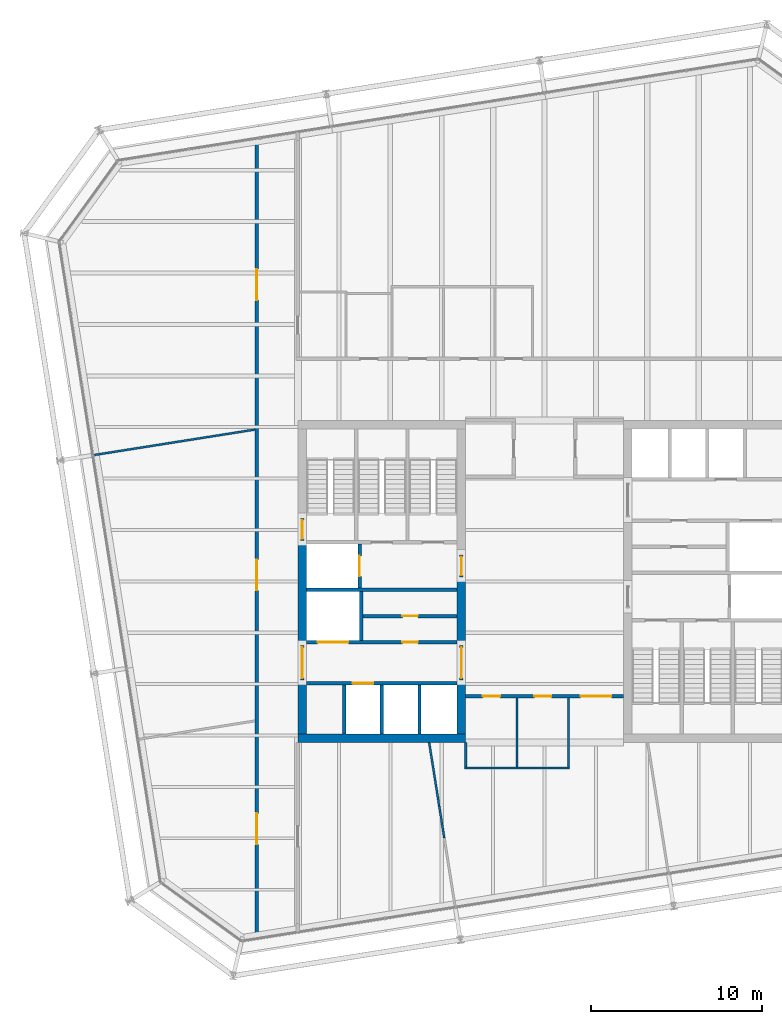
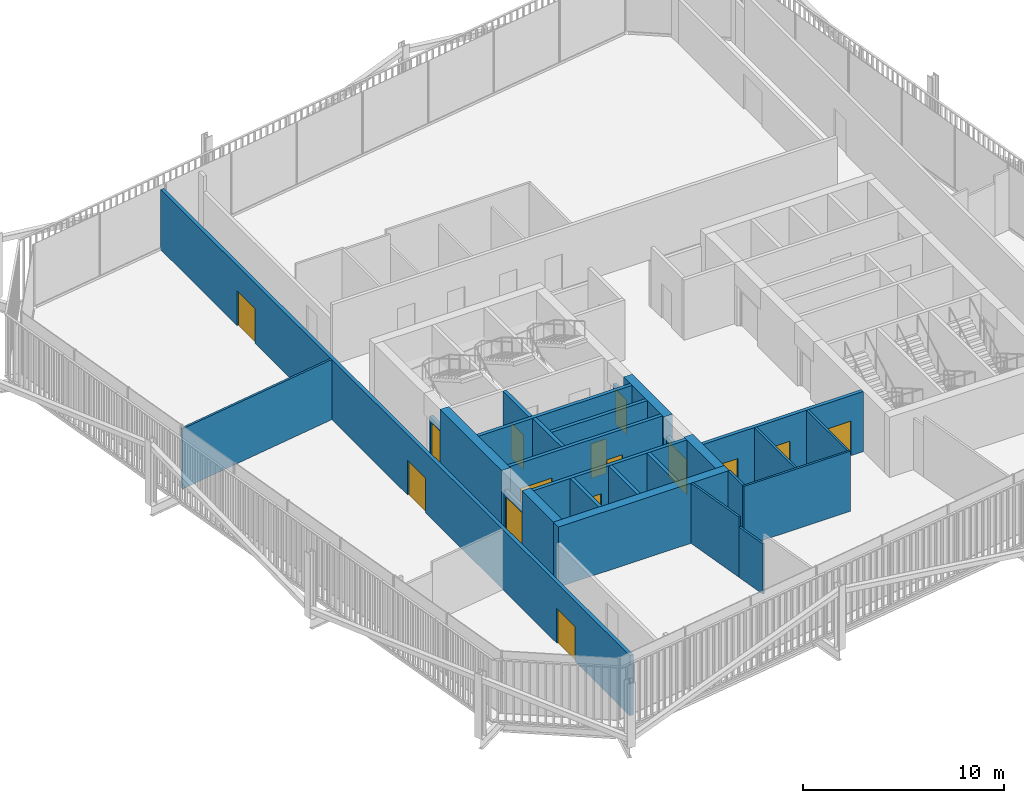
# One storey, part 17 of 21: 27 walls, 15 doors, 15 openings.
"""IFC4 building model written with IfcOpenShell, lengths in metres."""

from ifc_helpers import new_model, si_unit, direction, frame, frame_2d, origin, place, context, subcontext, project, spatial, rectangle, extrude, material, layer, layer_set, type_object, element, fill, save


model = new_model("IFC4")

# Units and contexts
model_context = context("Model", 3, precision=1e-05, world=origin(), true_north=direction((0.0, 1.0)))
body_context = subcontext(model_context, "Body", "Model", "MODEL_VIEW")
ifc_project = project(units=[si_unit("LENGTHUNIT", "METRE"), si_unit("AREAUNIT", "SQUARE_METRE"), si_unit("VOLUMEUNIT", "CUBIC_METRE"), si_unit("PLANEANGLEUNIT", "RADIAN"), si_unit("MASSUNIT", "GRAM", prefix="KILO")], contexts=[model_context])

# Site, building, storey
site_placement = place(None, origin())
site = spatial("IfcSite", under=ifc_project, at=site_placement, CompositionType="ELEMENT")
building_placement = place(site_placement, origin())
building = spatial("IfcBuilding", under=site, at=building_placement, Name="Millrace Tower", CompositionType="ELEMENT")
storey_placement = place(building_placement, frame((0.0, 0.0, 263.0)))
storey = spatial("IfcBuildingStorey", under=building, at=storey_placement, Name="L60", CompositionType="ELEMENT", Elevation=263.0)

# Walls
ifc_material_1 = material(Name="Concrete C60", Category="concrete")
ifc_layer_1 = layer(ifc_material_1, 0.5)
ifc_layer_set_1 = layer_set([ifc_layer_1], Name="Concrete C60")
wall_type_1 = type_object("IfcWallType", Name="Core wall 500 Concrete C60", PredefinedType="SHEAR", material=ifc_layer_set_1)
wall_1_placement = place(storey_placement, frame((-14.39990234375, -9.14990234375, 0.0), z_axis=(0.0, 0.0, 1.0), x_axis=(1.0, 0.0, 0.0)))
element("IfcWall", 1, at=wall_1_placement, inside=storey, type_object=wall_type_1, Name="Core wall W L60", PredefinedType="SHEAR", context=body_context, shape_type="SweptSolid", body=[
    extrude(rectangle(XDim=9.7998046875, YDim=0.5, at=frame_2d((4.89990234375, 0.0))), origin(), (0.0, 0.0, 1.0), 3.64990234375),
])
wall_2_placement = place(storey_placement, frame((-14.14990234375, -8.89990234375, 0.0), z_axis=(0.0, 0.0, 1.0), x_axis=(0.0, 1.0, 0.0)))
element("IfcWall", 2, at=wall_2_placement, inside=storey, type_object=wall_type_1, Name="Core wall W L60", PredefinedType="SHEAR", context=body_context, shape_type="SweptSolid", body=[
    extrude(rectangle(XDim=3.14990234375, YDim=0.5, at=frame_2d((1.574951171875, 0.0))), origin(), (0.0, 0.0, 1.0), 3.64990234375),
])
wall_3_placement = place(storey_placement, frame((-14.14990234375, -3.75, 0.0), z_axis=(0.0, 0.0, 1.0), x_axis=(0.0, 1.0, 0.0)))
element("IfcWall", 3, at=wall_3_placement, inside=storey, type_object=wall_type_1, Name="Core wall W L60", PredefinedType="SHEAR", context=body_context, shape_type="SweptSolid", body=[
    extrude(rectangle(XDim=6.1298828125, YDim=0.5, at=frame_2d((3.06494140625, 0.0))), origin(), (0.0, 0.0, 1.0), 3.64990234375),
])
wall_4_placement = place(storey_placement, frame((-4.85009765625, -8.89990234375, 0.0), z_axis=(0.0, 0.0, 1.0), x_axis=(0.0, 1.0, 0.0)))
element("IfcWall", 4, at=wall_4_placement, inside=storey, type_object=wall_type_1, Name="Core wall W L60", PredefinedType="SHEAR", context=body_context, shape_type="SweptSolid", body=[
    extrude(rectangle(XDim=3.14990234375, YDim=0.5, at=frame_2d((1.574951171875, 0.0))), origin(), (0.0, 0.0, 1.0), 3.64990234375),
])
wall_5_placement = place(storey_placement, frame((-4.85009765625, -3.75, 0.0), z_axis=(0.0, 0.0, 1.0), x_axis=(0.0, 1.0, 0.0)))
element("IfcWall", 5, at=wall_5_placement, inside=storey, type_object=wall_type_1, Name="Core wall W L60", PredefinedType="SHEAR", context=body_context, shape_type="SweptSolid", body=[
    extrude(rectangle(XDim=4.0, YDim=0.5, at=frame_2d((2.0, 0.0))), origin(), (0.0, 0.0, 1.0), 3.64990234375),
])

# Wall, openings, doors
ifc_material_2 = material(Name="Masonry partition, fire-rated", Category="masonry")
ifc_layer_2 = layer(ifc_material_2, 0.199951171875)
ifc_layer_set_2 = layer_set([ifc_layer_2], Name="Masonry partition, fire-rated")
wall_type_2 = type_object("IfcWallType", Name="Corridor wall 200", PredefinedType="PARTITIONING", material=ifc_layer_set_2)
wall_6_placement = place(storey_placement, frame((-4.60009765625, -6.699951171875, 0.0), z_axis=(0.0, 0.0, 1.0), x_axis=(1.0, 0.0, 0.0)))
wall_6 = element("IfcWall", 6, at=wall_6_placement, inside=storey, type_object=wall_type_2, Name="Corridor wall L60", PredefinedType="PARTITIONING", context=body_context, shape_type="SweptSolid", body=[
    extrude(rectangle(XDim=9.2001953125, YDim=0.199951171875, at=frame_2d((4.60009765625, 0.0))), origin(), (0.0, 0.0, 1.0), 3.64990234375),
])
opening_1_placement = place(wall_6_placement, frame((6.699951171875, 0.0, 0.0)))
opening_1 = element("IfcOpeningElement", 7, at=opening_1_placement, cuts=wall_6, Name="Opening 60-P012", PredefinedType="OPENING", context=body_context, shape_type="SweptSolid", body=[
    extrude(rectangle(XDim=1.800048828125, YDim=2.10009765625, at=frame_2d((0.89990234375, 1.050048828125))), frame((0.0, 0.10986328125, 0.0), z_axis=(0.0, -1.0, 0.0), x_axis=(1.0, 0.0, 0.0)), (0.0, 0.0, 1.0), 0.219970703125),
])
opening_2_placement = place(wall_6_placement, frame((1.0, 0.0, 0.0)))
opening_2 = element("IfcOpeningElement", 8, at=opening_2_placement, cuts=wall_6, Name="Opening 60-P013", PredefinedType="OPENING", context=body_context, shape_type="SweptSolid", body=[
    extrude(rectangle(XDim=1.0, YDim=2.10009765625, at=frame_2d((0.5, 1.050048828125))), frame((0.0, 0.10986328125, 0.0), z_axis=(0.0, -1.0, 0.0), x_axis=(1.0, 0.0, 0.0)), (0.0, 0.0, 1.0), 0.219970703125),
])
opening_3_placement = place(wall_6_placement, frame((4.0, 0.0, 0.0)))
opening_3 = element("IfcOpeningElement", 9, at=opening_3_placement, cuts=wall_6, Name="Opening 60-P014", PredefinedType="OPENING", context=body_context, shape_type="SweptSolid", body=[
    extrude(rectangle(XDim=1.0, YDim=2.10009765625, at=frame_2d((0.5, 1.050048828125))), frame((0.0, 0.10986328125, 0.0), z_axis=(0.0, -1.0, 0.0), x_axis=(1.0, 0.0, 0.0)), (0.0, 0.0, 1.0), 0.219970703125),
])
ifc_material_3 = material(Name="Steel door set, fire-rated", Category="steel")
door_type_1 = type_object("IfcDoorType", Name="Corridor door 1000 x 2100", OperationType="SINGLE_SWING_LEFT", PredefinedType="DOOR", material=ifc_material_3)
door_1_placement = place(opening_2_placement, frame((1.0, 0.0, 0.0), z_axis=(0.0, 0.0, 1.0), x_axis=(-1.0, 0.0, 0.0)))
door_1 = element("IfcDoor", 10, at=door_1_placement, inside=storey, type_object=door_type_1, Name="Door 60-P013", OperationType="SINGLE_SWING_RIGHT", OverallHeight=2.10009765625, OverallWidth=1.0, PredefinedType="DOOR", context=body_context, shape_type="SweptSolid", body=[
    extrude(rectangle(XDim=1.0, YDim=2.10009765625, at=frame_2d((0.5, 1.050048828125))), frame((0.0, 0.02490234375, 0.0), z_axis=(0.0, -1.0, 0.0), x_axis=(1.0, 0.0, 0.0)), (0.0, 0.0, 1.0), 0.050048828125),
])
fill(opening_2, door_1)
door_2_placement = place(opening_3_placement, frame((1.0, 0.0, 0.0), z_axis=(0.0, 0.0, 1.0), x_axis=(-1.0, 0.0, 0.0)))
door_2 = element("IfcDoor", 11, at=door_2_placement, inside=storey, type_object=door_type_1, Name="Door 60-P014", OperationType="SINGLE_SWING_RIGHT", OverallHeight=2.10009765625, OverallWidth=1.0, PredefinedType="DOOR", context=body_context, shape_type="SweptSolid", body=[
    extrude(rectangle(XDim=1.0, YDim=2.10009765625, at=frame_2d((0.5, 1.050048828125))), frame((0.0, 0.02490234375, 0.0), z_axis=(0.0, -1.0, 0.0), x_axis=(1.0, 0.0, 0.0)), (0.0, 0.0, 1.0), 0.050048828125),
])
fill(opening_3, door_2)
ifc_material_4 = material(Name="Steel door set, fire-rated", Category="steel")
door_type_2 = type_object("IfcDoorType", Name="Corridor door 1800 x 2100", OperationType="DOUBLE_DOOR_SINGLE_SWING", PredefinedType="DOOR", material=ifc_material_4)
door_3_placement = place(opening_1_placement, frame((1.800048828125, 0.0, 0.0), z_axis=(0.0, 0.0, 1.0), x_axis=(-1.0, 0.0, 0.0)))
door_3 = element("IfcDoor", 12, at=door_3_placement, inside=storey, type_object=door_type_2, Name="Door 60-P012", OperationType="DOUBLE_DOOR_SINGLE_SWING", OverallHeight=2.10009765625, OverallWidth=1.800048828125, PredefinedType="DOOR", context=body_context, shape_type="SweptSolid", body=[
    extrude(rectangle(XDim=1.800048828125, YDim=2.10009765625, at=frame_2d((0.89990234375, 1.050048828125))), frame((0.0, 0.02490234375, 0.0), z_axis=(0.0, -1.0, 0.0), x_axis=(1.0, 0.0, 0.0)), (0.0, 0.0, 1.0), 0.050048828125),
])
fill(opening_1, door_3)

wall_7_placement = place(storey_placement, frame((-16.800048828125, -20.816162109375, 0.0), z_axis=(0.0, 0.0, 1.0), x_axis=(0.0, 1.0, 0.0)))
wall_7 = element("IfcWall", 13, at=wall_7_placement, inside=storey, type_object=wall_type_2, Name="Corridor wall L60", PredefinedType="PARTITIONING", context=body_context, shape_type="SweptSolid", body=[
    extrude(rectangle(XDim=46.63427734375, YDim=0.199951171875, at=frame_2d((23.317138671875, 0.0))), origin(), (0.0, 0.0, 1.0), 3.64990234375),
])
opening_4_placement = place(wall_7_placement, frame((5.468017578125, 0.0, 0.0)))
opening_4 = element("IfcOpeningElement", 14, at=opening_4_placement, cuts=wall_7, Name="Opening 60-P003", PredefinedType="OPENING", context=body_context, shape_type="SweptSolid", body=[
    extrude(rectangle(XDim=1.800048828125, YDim=2.10009765625, at=frame_2d((0.89990234375, 1.050048828125))), frame((0.0, 0.10986328125, 0.0), z_axis=(0.0, -1.0, 0.0), x_axis=(1.0, 0.0, 0.0)), (0.0, 0.0, 1.0), 0.219970703125),
])
opening_5_placement = place(wall_7_placement, frame((20.29052734375, 0.0, 0.0)))
opening_5 = element("IfcOpeningElement", 15, at=opening_5_placement, cuts=wall_7, Name="Opening 60-P004", PredefinedType="OPENING", context=body_context, shape_type="SweptSolid", body=[
    extrude(rectangle(XDim=1.800048828125, YDim=2.10009765625, at=frame_2d((0.89990234375, 1.050048828125))), frame((0.0, 0.10986328125, 0.0), z_axis=(0.0, -1.0, 0.0), x_axis=(1.0, 0.0, 0.0)), (0.0, 0.0, 1.0), 0.219970703125),
])
opening_6_placement = place(wall_7_placement, frame((37.239013671875, 0.0, 0.0)))
opening_6 = element("IfcOpeningElement", 16, at=opening_6_placement, cuts=wall_7, Name="Opening 60-P005", PredefinedType="OPENING", context=body_context, shape_type="SweptSolid", body=[
    extrude(rectangle(XDim=1.800048828125, YDim=2.10009765625, at=frame_2d((0.89990234375, 1.050048828125))), frame((0.0, 0.10986328125, 0.0), z_axis=(0.0, -1.0, 0.0), x_axis=(1.0, 0.0, 0.0)), (0.0, 0.0, 1.0), 0.219970703125),
])
door_4_placement = place(opening_4_placement, origin())
door_4 = element("IfcDoor", 17, at=door_4_placement, inside=storey, type_object=door_type_2, Name="Door 60-P003", OperationType="DOUBLE_DOOR_SINGLE_SWING", OverallHeight=2.10009765625, OverallWidth=1.800048828125, PredefinedType="DOOR", context=body_context, shape_type="SweptSolid", body=[
    extrude(rectangle(XDim=1.800048828125, YDim=2.10009765625, at=frame_2d((0.89990234375, 1.050048828125))), frame((0.0, 0.02490234375, 0.0), z_axis=(0.0, -1.0, 0.0), x_axis=(1.0, 0.0, 0.0)), (0.0, 0.0, 1.0), 0.050048828125),
])
fill(opening_4, door_4)
door_5_placement = place(opening_5_placement, origin())
door_5 = element("IfcDoor", 18, at=door_5_placement, inside=storey, type_object=door_type_2, Name="Door 60-P004", OperationType="DOUBLE_DOOR_SINGLE_SWING", OverallHeight=2.10009765625, OverallWidth=1.800048828125, PredefinedType="DOOR", context=body_context, shape_type="SweptSolid", body=[
    extrude(rectangle(XDim=1.800048828125, YDim=2.10009765625, at=frame_2d((0.89990234375, 1.050048828125))), frame((0.0, 0.02490234375, 0.0), z_axis=(0.0, -1.0, 0.0), x_axis=(1.0, 0.0, 0.0)), (0.0, 0.0, 1.0), 0.050048828125),
])
fill(opening_5, door_5)
door_6_placement = place(opening_6_placement, frame((1.800048828125, 0.0, 0.0), z_axis=(0.0, 0.0, 1.0), x_axis=(-1.0, 0.0, 0.0)))
door_6 = element("IfcDoor", 19, at=door_6_placement, inside=storey, type_object=door_type_2, Name="Door 60-P005", OperationType="DOUBLE_DOOR_SINGLE_SWING", OverallHeight=2.10009765625, OverallWidth=1.800048828125, PredefinedType="DOOR", context=body_context, shape_type="SweptSolid", body=[
    extrude(rectangle(XDim=1.800048828125, YDim=2.10009765625, at=frame_2d((0.89990234375, 1.050048828125))), frame((0.0, 0.02490234375, 0.0), z_axis=(0.0, -1.0, 0.0), x_axis=(1.0, 0.0, 0.0)), (0.0, 0.0, 1.0), 0.050048828125),
])
fill(opening_6, door_6)

# Wall, opening, door
ifc_material_5 = material(Name="Masonry partition, fire-rated", Category="masonry")
ifc_layer_3 = layer(ifc_material_5, 0.199951171875)
ifc_layer_set_3 = layer_set([ifc_layer_3], Name="Masonry partition, fire-rated")
wall_type_3 = type_object("IfcWallType", Name="Lift shaft wall 200", PredefinedType="PARTITIONING", material=ifc_layer_set_3)
wall_8_placement = place(storey_placement, frame((-13.89990234375, -5.949951171875, 0.0), z_axis=(0.0, 0.0, 1.0), x_axis=(1.0, 0.0, 0.0)))
wall_8 = element("IfcWall", 20, at=wall_8_placement, inside=storey, type_object=wall_type_3, Name="Lift shaft wall W L60", PredefinedType="PARTITIONING", context=body_context, shape_type="SweptSolid", body=[
    extrude(rectangle(XDim=8.7998046875, YDim=0.199951171875, at=frame_2d((4.39990234375, 0.0))), origin(), (0.0, 0.0, 1.0), 3.64990234375),
])
opening_7_placement = place(wall_8_placement, frame((2.699951171875, 0.0, 0.0)))
opening_7 = element("IfcOpeningElement", 21, at=opening_7_placement, cuts=wall_8, Name="Opening 60-LD02", PredefinedType="OPENING", context=body_context, shape_type="SweptSolid", body=[
    extrude(rectangle(XDim=1.199951171875, YDim=2.10009765625, at=frame_2d((0.60009765625, 1.050048828125))), frame((0.0, 0.10986328125, 0.0), z_axis=(0.0, -1.0, 0.0), x_axis=(1.0, 0.0, 0.0)), (0.0, 0.0, 1.0), 0.219970703125),
])
ifc_material_6 = material(Name="Stainless steel, fire-rated", Category="steel")
door_type_3 = type_object("IfcDoorType", Name="Lift landing door 1200 x 2100", OperationType="DOUBLE_DOOR_SLIDING", PredefinedType="DOOR", material=ifc_material_6)
door_7_placement = place(opening_7_placement, origin())
door_7 = element("IfcDoor", 22, at=door_7_placement, inside=storey, type_object=door_type_3, Name="Lift landing door LF2 L60", OperationType="DOUBLE_DOOR_SLIDING", OverallHeight=2.10009765625, OverallWidth=1.199951171875, PredefinedType="DOOR", context=body_context, shape_type="SweptSolid", body=[
    extrude(rectangle(XDim=1.199951171875, YDim=2.10009765625, at=frame_2d((0.60009765625, 1.050048828125))), frame((0.0, 0.02490234375, 0.0), z_axis=(0.0, -1.0, 0.0), x_axis=(1.0, 0.0, 0.0)), (0.0, 0.0, 1.0), 0.050048828125),
])
fill(opening_7, door_7)

# Wall, openings, doors
wall_9_placement = place(storey_placement, frame((-13.89990234375, -3.550048828125, 0.0), z_axis=(0.0, 0.0, 1.0), x_axis=(1.0, 0.0, 0.0)))
wall_9 = element("IfcWall", 23, at=wall_9_placement, inside=storey, type_object=wall_type_3, Name="Lift shaft wall W L60", PredefinedType="PARTITIONING", context=body_context, shape_type="SweptSolid", body=[
    extrude(rectangle(XDim=8.7998046875, YDim=0.199951171875, at=frame_2d((4.39990234375, 0.0))), origin(), (0.0, 0.0, 1.0), 3.64990234375),
])
opening_8_placement = place(wall_9_placement, frame((0.64990234375, 0.0, 0.0)))
opening_8 = element("IfcOpeningElement", 24, at=opening_8_placement, cuts=wall_9, Name="Opening 60-LD05", PredefinedType="OPENING", context=body_context, shape_type="SweptSolid", body=[
    extrude(rectangle(XDim=1.800048828125, YDim=2.10009765625, at=frame_2d((0.89990234375, 1.050048828125))), frame((0.0, 0.10986328125, 0.0), z_axis=(0.0, -1.0, 0.0), x_axis=(1.0, 0.0, 0.0)), (0.0, 0.0, 1.0), 0.219970703125),
])
opening_9_placement = place(wall_9_placement, frame((5.60009765625, 0.0, 0.0)))
opening_9 = element("IfcOpeningElement", 25, at=opening_9_placement, cuts=wall_9, Name="Opening 60-C005", PredefinedType="OPENING", context=body_context, shape_type="SweptSolid", body=[
    extrude(rectangle(XDim=0.89990234375, YDim=2.10009765625, at=frame_2d((0.449951171875, 1.050048828125))), frame((0.0, 0.10986328125, 0.0), z_axis=(0.0, -1.0, 0.0), x_axis=(1.0, 0.0, 0.0)), (0.0, 0.0, 1.0), 0.219970703125),
])
ifc_material_7 = material(Name="Stainless steel, fire-rated", Category="steel")
door_type_4 = type_object("IfcDoorType", Name="Lift landing door 1800 x 2100", OperationType="DOUBLE_DOOR_SLIDING", PredefinedType="DOOR", material=ifc_material_7)
door_8_placement = place(opening_8_placement, origin())
door_8 = element("IfcDoor", 26, at=door_8_placement, inside=storey, type_object=door_type_4, Name="Lift landing door LF5 L60", OperationType="DOUBLE_DOOR_SLIDING", OverallHeight=2.10009765625, OverallWidth=1.800048828125, PredefinedType="DOOR", context=body_context, shape_type="SweptSolid", body=[
    extrude(rectangle(XDim=1.800048828125, YDim=2.10009765625, at=frame_2d((0.89990234375, 1.050048828125))), frame((0.0, 0.02490234375, 0.0), z_axis=(0.0, -1.0, 0.0), x_axis=(1.0, 0.0, 0.0)), (0.0, 0.0, 1.0), 0.050048828125),
])
fill(opening_8, door_8)
ifc_material_8 = material(Name="Steel door, fire-rated", Category="steel")
door_type_5 = type_object("IfcDoorType", Name="Service room door 900 x 2100", OperationType="SINGLE_SWING_LEFT", PredefinedType="DOOR", material=ifc_material_8)
door_9_placement = place(opening_9_placement, frame((0.89990234375, 0.0, 0.0), z_axis=(0.0, 0.0, 1.0), x_axis=(-1.0, 0.0, 0.0)))
door_9 = element("IfcDoor", 27, at=door_9_placement, inside=storey, type_object=door_type_5, Name="Service room door 60-C005", OperationType="SINGLE_SWING_LEFT", OverallHeight=2.10009765625, OverallWidth=0.89990234375, PredefinedType="DOOR", context=body_context, shape_type="SweptSolid", body=[
    extrude(rectangle(XDim=0.89990234375, YDim=2.10009765625, at=frame_2d((0.449951171875, 1.050048828125))), frame((0.0, 0.02490234375, 0.0), z_axis=(0.0, -1.0, 0.0), x_axis=(1.0, 0.0, 0.0)), (0.0, 0.0, 1.0), 0.050048828125),
])
fill(opening_9, door_9)

# Wall
wall_10_placement = place(storey_placement, frame((-13.89990234375, -0.5, 0.0), z_axis=(0.0, 0.0, 1.0), x_axis=(1.0, 0.0, 0.0)))
element("IfcWall", 28, at=wall_10_placement, inside=storey, type_object=wall_type_3, Name="Lift shaft wall W L60", PredefinedType="PARTITIONING", context=body_context, shape_type="SweptSolid", body=[
    extrude(rectangle(XDim=8.7998046875, YDim=0.199951171875, at=frame_2d((4.39990234375, 0.0))), origin(), (0.0, 0.0, 1.0), 3.64990234375),
])

# Wall, opening, door
wall_11_placement = place(storey_placement, frame((-10.800048828125, -0.39990234375, 0.0), z_axis=(0.0, 0.0, 1.0), x_axis=(0.0, 1.0, 0.0)))
wall_11 = element("IfcWall", 29, at=wall_11_placement, inside=storey, type_object=wall_type_3, Name="Lift shaft wall W L60", PredefinedType="PARTITIONING", context=body_context, shape_type="SweptSolid", body=[
    extrude(rectangle(XDim=2.579833984375, YDim=0.199951171875, at=frame_2d((1.2900390625, 0.0))), origin(), (0.0, 0.0, 1.0), 3.64990234375),
])
opening_10_placement = place(wall_11_placement, frame((0.68994140625, 0.0, 0.0)))
opening_10 = element("IfcOpeningElement", 30, at=opening_10_placement, cuts=wall_11, Name="Opening 60-LD08", PredefinedType="OPENING", context=body_context, shape_type="SweptSolid", body=[
    extrude(rectangle(XDim=1.199951171875, YDim=2.10009765625, at=frame_2d((0.60009765625, 1.050048828125))), frame((0.0, 0.10986328125, 0.0), z_axis=(0.0, -1.0, 0.0), x_axis=(1.0, 0.0, 0.0)), (0.0, 0.0, 1.0), 0.219970703125),
])
door_10_placement = place(opening_10_placement, origin())
door_10 = element("IfcDoor", 31, at=door_10_placement, inside=storey, type_object=door_type_3, Name="Lift landing door LF8 L60", OperationType="DOUBLE_DOOR_SLIDING", OverallHeight=2.10009765625, OverallWidth=1.199951171875, PredefinedType="DOOR", context=body_context, shape_type="SweptSolid", body=[
    extrude(rectangle(XDim=1.199951171875, YDim=2.10009765625, at=frame_2d((0.60009765625, 1.050048828125))), frame((0.0, 0.02490234375, 0.0), z_axis=(0.0, -1.0, 0.0), x_axis=(1.0, 0.0, 0.0)), (0.0, 0.0, 1.0), 0.050048828125),
])
fill(opening_10, door_10)

# Walls
for number, where, z_axis, x_axis, name in (
    (32, (-11.699951171875, -8.89990234375, 0.0), (0.0, 0.0, 1.0), (0.0, 1.0, 0.0), "Lift shaft wall W L60"),
    (33, (-9.5, -8.89990234375, 0.0), (0.0, 0.0, 1.0), (0.0, 1.0, 0.0), "Lift shaft wall W L60"),
    (34, (-7.300048828125, -8.89990234375, 0.0), (0.0, 0.0, 1.0), (0.0, 1.0, 0.0), "Lift shaft wall W L60"),
    (35, (-10.699951171875, -3.449951171875, 0.0), (0.0, 0.0, 1.0), (0.0, 1.0, 0.0), "Lift shaft wall W L60"),
):
    element("IfcWall", number, at=place(storey_placement, frame(where, z_axis=z_axis, x_axis=x_axis)), inside=storey, type_object=wall_type_3, Name=name, PredefinedType="PARTITIONING", context=body_context, shape_type="SweptSolid", body=[
        extrude(rectangle(XDim=2.849853515625, YDim=0.199951171875, at=frame_2d((1.4248046875, 0.0))), origin(), (0.0, 0.0, 1.0), 3.64990234375),
    ])

# Wall, opening, door
ifc_material_9 = material(Name="Masonry partition, fire-rated", Category="masonry")
ifc_layer_4 = layer(ifc_material_9, 0.199951171875)
ifc_layer_set_4 = layer_set([ifc_layer_4], Name="Masonry partition, fire-rated")
wall_type_4 = type_object("IfcWallType", Name="Lobby wall 200", PredefinedType="PARTITIONING", material=ifc_layer_set_4)
wall_12_placement = place(storey_placement, frame((-14.14990234375, -5.75, 0.0), z_axis=(0.0, 0.0, 1.0), x_axis=(0.0, 1.0, 0.0)))
wall_12 = element("IfcWall", 36, at=wall_12_placement, inside=storey, type_object=wall_type_4, Name="Lobby wall W L60", PredefinedType="PARTITIONING", context=body_context, shape_type="SweptSolid", body=[
    extrude(rectangle(XDim=2.0, YDim=0.199951171875, at=frame_2d((1.0, 0.0))), origin(), (0.0, 0.0, 1.0), 2.39990234375),
])
opening_11_placement = place(wall_12_placement, frame((0.10009765625, 0.0, 0.0)))
opening_11 = element("IfcOpeningElement", 37, at=opening_11_placement, cuts=wall_12, Name="Opening 60-C001", PredefinedType="OPENING", context=body_context, shape_type="SweptSolid", body=[
    extrude(rectangle(XDim=1.800048828125, YDim=2.10009765625, at=frame_2d((0.89990234375, 1.050048828125))), frame((0.0, 0.10986328125, 0.0), z_axis=(0.0, -1.0, 0.0), x_axis=(1.0, 0.0, 0.0)), (0.0, 0.0, 1.0), 0.219970703125),
])
ifc_material_10 = material(Name="Steel door, fire-rated", Category="steel")
door_type_6 = type_object("IfcDoorType", Name="Lobby door 1800 x 2100", OperationType="DOUBLE_DOOR_SINGLE_SWING", PredefinedType="DOOR", material=ifc_material_10)
door_11_placement = place(opening_11_placement, origin())
door_11 = element("IfcDoor", 38, at=door_11_placement, inside=storey, type_object=door_type_6, Name="Lobby door 60-C001", OperationType="DOUBLE_DOOR_SINGLE_SWING", OverallHeight=2.10009765625, OverallWidth=1.800048828125, PredefinedType="DOOR", context=body_context, shape_type="SweptSolid", body=[
    extrude(rectangle(XDim=1.800048828125, YDim=2.10009765625, at=frame_2d((0.89990234375, 1.050048828125))), frame((0.0, 0.02490234375, 0.0), z_axis=(0.0, -1.0, 0.0), x_axis=(1.0, 0.0, 0.0)), (0.0, 0.0, 1.0), 0.050048828125),
])
fill(opening_11, door_11)

wall_13_placement = place(storey_placement, frame((-4.85009765625, -5.75, 0.0), z_axis=(0.0, 0.0, 1.0), x_axis=(0.0, 1.0, 0.0)))
wall_13 = element("IfcWall", 39, at=wall_13_placement, inside=storey, type_object=wall_type_4, Name="Lobby wall W L60", PredefinedType="PARTITIONING", context=body_context, shape_type="SweptSolid", body=[
    extrude(rectangle(XDim=2.0, YDim=0.199951171875, at=frame_2d((1.0, 0.0))), origin(), (0.0, 0.0, 1.0), 2.39990234375),
])
opening_12_placement = place(wall_13_placement, frame((0.10009765625, 0.0, 0.0)))
opening_12 = element("IfcOpeningElement", 40, at=opening_12_placement, cuts=wall_13, Name="Opening 60-C003", PredefinedType="OPENING", context=body_context, shape_type="SweptSolid", body=[
    extrude(rectangle(XDim=1.800048828125, YDim=2.10009765625, at=frame_2d((0.89990234375, 1.050048828125))), frame((0.0, 0.10986328125, 0.0), z_axis=(0.0, -1.0, 0.0), x_axis=(1.0, 0.0, 0.0)), (0.0, 0.0, 1.0), 0.219970703125),
])
door_12_placement = place(opening_12_placement, frame((1.800048828125, 0.0, 0.0), z_axis=(0.0, 0.0, 1.0), x_axis=(-1.0, 0.0, 0.0)))
door_12 = element("IfcDoor", 41, at=door_12_placement, inside=storey, type_object=door_type_6, Name="Lobby door 60-C003", OperationType="DOUBLE_DOOR_SINGLE_SWING", OverallHeight=2.10009765625, OverallWidth=1.800048828125, PredefinedType="DOOR", context=body_context, shape_type="SweptSolid", body=[
    extrude(rectangle(XDim=1.800048828125, YDim=2.10009765625, at=frame_2d((0.89990234375, 1.050048828125))), frame((0.0, 0.02490234375, 0.0), z_axis=(0.0, -1.0, 0.0), x_axis=(1.0, 0.0, 0.0)), (0.0, 0.0, 1.0), 0.050048828125),
])
fill(opening_12, door_12)

wall_14_placement = place(storey_placement, frame((-4.85009765625, 0.25, 0.0), z_axis=(0.0, 0.0, 1.0), x_axis=(0.0, 1.0, 0.0)))
wall_14 = element("IfcWall", 42, at=wall_14_placement, inside=storey, type_object=wall_type_4, Name="Lobby wall W L60", PredefinedType="PARTITIONING", context=body_context, shape_type="SweptSolid", body=[
    extrude(rectangle(XDim=1.300048828125, YDim=0.199951171875, at=frame_2d((0.64990234375, 0.0))), origin(), (0.0, 0.0, 1.0), 2.39990234375),
])
opening_13_placement = place(wall_14_placement, frame((0.10009765625, 0.0, 0.0)))
opening_13 = element("IfcOpeningElement", 43, at=opening_13_placement, cuts=wall_14, Name="Opening 60-C004", PredefinedType="OPENING", context=body_context, shape_type="SweptSolid", body=[
    extrude(rectangle(XDim=1.10009765625, YDim=2.10009765625, at=frame_2d((0.550048828125, 1.050048828125))), frame((0.0, 0.10986328125, 0.0), z_axis=(0.0, -1.0, 0.0), x_axis=(1.0, 0.0, 0.0)), (0.0, 0.0, 1.0), 0.219970703125),
])
ifc_material_11 = material(Name="Steel door, fire-rated", Category="steel")
door_type_7 = type_object("IfcDoorType", Name="Lobby door 1100 x 2100", OperationType="SINGLE_SWING_LEFT", PredefinedType="DOOR", material=ifc_material_11)
door_13_placement = place(opening_13_placement, frame((1.10009765625, 0.0, 0.0), z_axis=(0.0, 0.0, 1.0), x_axis=(-1.0, 0.0, 0.0)))
door_13 = element("IfcDoor", 44, at=door_13_placement, inside=storey, type_object=door_type_7, Name="Lobby door 60-C004", OperationType="SINGLE_SWING_RIGHT", OverallHeight=2.10009765625, OverallWidth=1.10009765625, PredefinedType="DOOR", context=body_context, shape_type="SweptSolid", body=[
    extrude(rectangle(XDim=1.10009765625, YDim=2.10009765625, at=frame_2d((0.550048828125, 1.050048828125))), frame((0.0, 0.02490234375, 0.0), z_axis=(0.0, -1.0, 0.0), x_axis=(1.0, 0.0, 0.0)), (0.0, 0.0, 1.0), 0.050048828125),
])
fill(opening_13, door_13)

# Walls
ifc_material_12 = material(Name="Gypsum board partition")
ifc_layer_5 = layer(ifc_material_12, 0.1201171875)
ifc_layer_set_5 = layer_set([ifc_layer_5], Name="Gypsum board partition")
wall_type_5 = type_object("IfcWallType", Name="Partition wall 120", PredefinedType="PARTITIONING", material=ifc_layer_set_5)
wall_15_placement = place(storey_placement, frame((-6.737060546875, -9.39990234375, 0.0), z_axis=(0.0, 0.0, 1.0), x_axis=(0.156382059487, -0.987696639394, 0.0)))
element("IfcWall", 45, at=wall_15_placement, inside=storey, type_object=wall_type_5, Name="Partition wall L60", PredefinedType="PARTITIONING", context=body_context, shape_type="SweptSolid", body=[
    extrude(rectangle(XDim=3.765625, YDim=0.1201171875, at=frame_2d((1.8828125, 0.0))), origin(), (0.0, 0.0, 1.0), 3.64990234375),
])
wall_16_placement = place(storey_placement, frame((-6.148193359375, -13.119140625, 0.0), z_axis=(0.0, 0.0, 1.0), x_axis=(0.1562533807, -0.987717004521, 0.0)))
element("IfcWall", 46, at=wall_16_placement, inside=storey, type_object=wall_type_5, Name="Partition wall L60", PredefinedType="PARTITIONING", context=body_context, shape_type="SweptSolid", body=[
    extrude(rectangle(XDim=1.896728515625, YDim=0.1201171875, at=frame_2d((0.9482421875, 0.0))), origin(), (0.0, 0.0, 1.0), 3.050537109375),
])
wall_17_placement = place(storey_placement, frame((-4.659912109375, -10.89990234375, 0.0), z_axis=(0.0, 0.0, 1.0), x_axis=(1.0, 0.0, 0.0)))
element("IfcWall", 47, at=wall_17_placement, inside=storey, type_object=wall_type_5, Name="Partition wall L60", PredefinedType="PARTITIONING", context=body_context, shape_type="SweptSolid", body=[
    extrude(rectangle(XDim=6.119873046875, YDim=0.1201171875, at=frame_2d((3.06005859375, 0.0))), origin(), (0.0, 0.0, 1.0), 3.64990234375),
])
wall_18_placement = place(storey_placement, frame((-26.33203125, 7.3701171875, 0.0), z_axis=(0.0, 0.0, 1.0), x_axis=(0.98770340922, 0.15633929581, 0.0)))
element("IfcWall", 48, at=wall_18_placement, inside=storey, type_object=wall_type_5, Name="Partition wall L60", PredefinedType="PARTITIONING", context=body_context, shape_type="SweptSolid", body=[
    extrude(rectangle(XDim=9.55078125, YDim=0.1201171875, at=frame_2d((4.775390625, 0.0))), origin(), (0.0, 0.0, 1.0), 3.64990234375),
])
for number, where, z_axis, x_axis, name in (
    (49, (1.39990234375, -10.840087890625, 0.0), (0.0, 0.0, 1.0), (0.0, 1.0, 0.0), "Partition wall L60"),
    (50, (-1.60009765625, -10.840087890625, 0.0), (0.0, 0.0, 1.0), (0.0, 1.0, 0.0), "Partition wall L60"),
):
    element("IfcWall", number, at=place(storey_placement, frame(where, z_axis=z_axis, x_axis=x_axis)), inside=storey, type_object=wall_type_5, Name=name, PredefinedType="PARTITIONING", context=body_context, shape_type="SweptSolid", body=[
        extrude(rectangle(XDim=4.0400390625, YDim=0.1201171875, at=frame_2d((2.02001953125, 0.0))), origin(), (0.0, 0.0, 1.0), 3.64990234375),
    ])
wall_19_placement = place(storey_placement, frame((-4.60009765625, -10.840087890625, 0.0), z_axis=(0.0, 0.0, 1.0), x_axis=(0.0, 1.0, 0.0)))
element("IfcWall", 51, at=wall_19_placement, inside=storey, type_object=wall_type_5, Name="Partition wall L60", PredefinedType="PARTITIONING", context=body_context, shape_type="SweptSolid", body=[
    extrude(rectangle(XDim=1.440185546875, YDim=0.1201171875, at=frame_2d((0.72021484375, 0.0))), origin(), (0.0, 0.0, 1.0), 3.64990234375),
])

# Wall, opening, door
ifc_material_13 = material(Name="Masonry partition, fire-rated", Category="masonry")
ifc_layer_6 = layer(ifc_material_13, 0.199951171875)
ifc_layer_set_6 = layer_set([ifc_layer_6], Name="Masonry partition, fire-rated")
wall_type_6 = type_object("IfcWallType", Name="Room partition 200", PredefinedType="PARTITIONING", material=ifc_layer_set_6)
wall_20_placement = place(storey_placement, frame((-10.60009765625, -2.02490234375, 0.0), z_axis=(0.0, 0.0, 1.0), x_axis=(1.0, 0.0, 0.0)))
wall_20 = element("IfcWall", 52, at=wall_20_placement, inside=storey, type_object=wall_type_6, Name="Room partition W L60", PredefinedType="PARTITIONING", context=body_context, shape_type="SweptSolid", body=[
    extrude(rectangle(XDim=5.5, YDim=0.199951171875, at=frame_2d((2.75, 0.0))), origin(), (0.0, 0.0, 1.0), 3.64990234375),
])
opening_14_placement = place(wall_20_placement, frame((2.300048828125, 0.0, 0.0)))
opening_14 = element("IfcOpeningElement", 53, at=opening_14_placement, cuts=wall_20, Name="Opening 60-C006", PredefinedType="OPENING", context=body_context, shape_type="SweptSolid", body=[
    extrude(rectangle(XDim=0.89990234375, YDim=2.10009765625, at=frame_2d((0.449951171875, 1.050048828125))), frame((0.0, 0.10986328125, 0.0), z_axis=(0.0, -1.0, 0.0), x_axis=(1.0, 0.0, 0.0)), (0.0, 0.0, 1.0), 0.219970703125),
])
door_14_placement = place(opening_14_placement, origin())
door_14 = element("IfcDoor", 54, at=door_14_placement, inside=storey, type_object=door_type_5, Name="Service room door 60-C006", OperationType="SINGLE_SWING_LEFT", OverallHeight=2.10009765625, OverallWidth=0.89990234375, PredefinedType="DOOR", context=body_context, shape_type="SweptSolid", body=[
    extrude(rectangle(XDim=0.89990234375, YDim=2.10009765625, at=frame_2d((0.449951171875, 1.050048828125))), frame((0.0, 0.02490234375, 0.0), z_axis=(0.0, -1.0, 0.0), x_axis=(1.0, 0.0, 0.0)), (0.0, 0.0, 1.0), 0.050048828125),
])
fill(opening_14, door_14)

ifc_material_14 = material(Name="Concrete C40", Category="concrete")
ifc_layer_7 = layer(ifc_material_14, 0.199951171875)
ifc_layer_set_7 = layer_set([ifc_layer_7], Name="Concrete C40")
wall_type_7 = type_object("IfcWallType", Name="Stair enclosure wall 200 Concrete C40", PredefinedType="SHEAR", material=ifc_layer_set_7)
wall_21_placement = place(storey_placement, frame((-14.14990234375, 2.3798828125, 0.0), z_axis=(0.0, 0.0, 1.0), x_axis=(0.0, 1.0, 0.0)))
wall_21 = element("IfcWall", 55, at=wall_21_placement, inside=storey, type_object=wall_type_7, Name="Stair enclosure wall W L60", PredefinedType="SHEAR", context=body_context, shape_type="SweptSolid", body=[
    extrude(rectangle(XDim=1.300048828125, YDim=0.199951171875, at=frame_2d((0.64990234375, 0.0))), origin(), (0.0, 0.0, 1.0), 2.39990234375),
])
opening_15_placement = place(wall_21_placement, frame((0.10009765625, 0.0, 0.0)))
opening_15 = element("IfcOpeningElement", 56, at=opening_15_placement, cuts=wall_21, Name="Opening 60-C002", PredefinedType="OPENING", context=body_context, shape_type="SweptSolid", body=[
    extrude(rectangle(XDim=1.10009765625, YDim=2.10009765625, at=frame_2d((0.550048828125, 1.050048828125))), frame((0.0, 0.10986328125, 0.0), z_axis=(0.0, -1.0, 0.0), x_axis=(1.0, 0.0, 0.0)), (0.0, 0.0, 1.0), 0.219970703125),
])
ifc_material_15 = material(Name="Steel door, fire-rated", Category="steel")
door_type_8 = type_object("IfcDoorType", Name="Stair door 1100 x 2100", OperationType="SINGLE_SWING_LEFT", PredefinedType="DOOR", material=ifc_material_15)
door_15_placement = place(opening_15_placement, origin())
door_15 = element("IfcDoor", 57, at=door_15_placement, inside=storey, type_object=door_type_8, Name="Stair door 60-C002", OperationType="SINGLE_SWING_RIGHT", OverallHeight=2.10009765625, OverallWidth=1.10009765625, PredefinedType="DOOR", context=body_context, shape_type="SweptSolid", body=[
    extrude(rectangle(XDim=1.10009765625, YDim=2.10009765625, at=frame_2d((0.550048828125, 1.050048828125))), frame((0.0, 0.02490234375, 0.0), z_axis=(0.0, -1.0, 0.0), x_axis=(1.0, 0.0, 0.0)), (0.0, 0.0, 1.0), 0.050048828125),
])
fill(opening_15, door_15)

save(model, "model.ifc")
